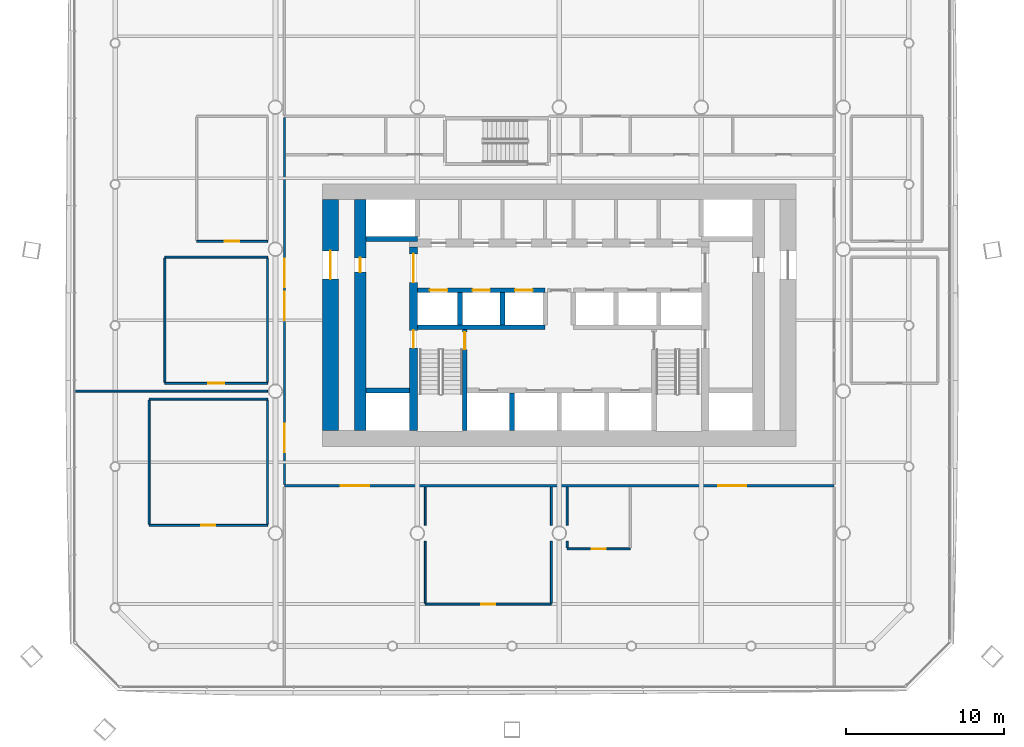
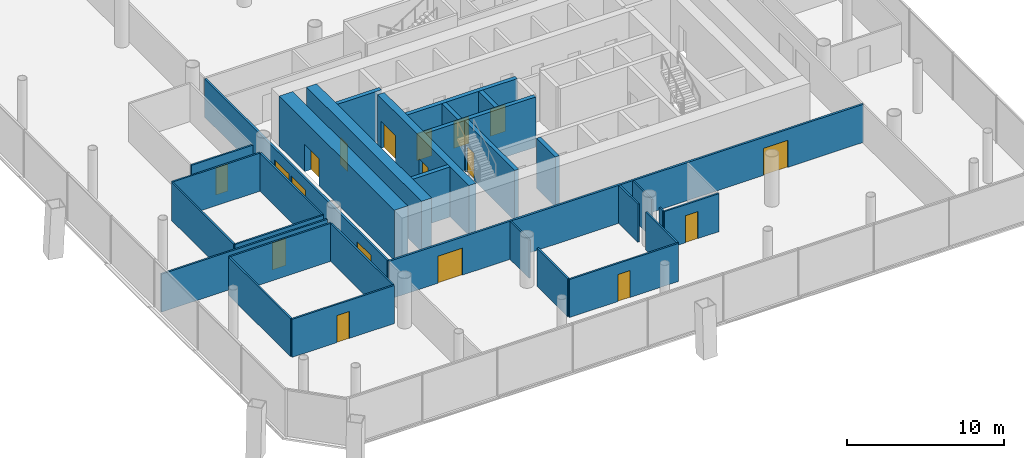
# One storey, part 14 of 22: 31 walls, 18 doors, 18 openings.
"""IFC4 building model written with IfcOpenShell, lengths in metres."""

from ifc_helpers import new_model, si_unit, direction, frame, frame_2d, origin, place, context, subcontext, project, spatial, rectangle, extrude, material, layer, layer_set, type_object, element, fill, save


model = new_model("IFC4")

# Units and contexts
model_context = context("Model", 3, precision=1e-05, world=origin(), true_north=direction((0.0, 1.0)))
body_context = subcontext(model_context, "Body", "Model", "MODEL_VIEW")
ifc_project = project(units=[si_unit("LENGTHUNIT", "METRE"), si_unit("AREAUNIT", "SQUARE_METRE"), si_unit("VOLUMEUNIT", "CUBIC_METRE"), si_unit("PLANEANGLEUNIT", "RADIAN"), si_unit("MASSUNIT", "GRAM", prefix="KILO")], contexts=[model_context])

# Site, building, storey
site_placement = place(None, origin())
site = spatial("IfcSite", under=ifc_project, at=site_placement, CompositionType="ELEMENT")
building_placement = place(site_placement, origin())
building = spatial("IfcBuilding", under=site, at=building_placement, Name="Tskaro Facet Tower", CompositionType="ELEMENT")
storey_placement = place(building_placement, frame((0.0, 0.0, 18.60009765625)))
storey = spatial("IfcBuildingStorey", under=building, at=storey_placement, Name="L03", CompositionType="ELEMENT", Elevation=18.60009765625)

# Walls
ifc_material_1 = material(Name="Concrete C60/75", Category="concrete")
ifc_layer_1 = layer(ifc_material_1, 0.300048828125, Name="Concrete C60/75")
ifc_layer_set_1 = layer_set([ifc_layer_1], Name="Concrete C60/75")
wall_type_1 = type_object("IfcWallType", Name="CORE-SHAFT", PredefinedType="SHEAR", material=ifc_layer_set_1)
wall_1_placement = place(storey_placement, frame((-12.25, -8.949951171875, 0.0), z_axis=(0.0, 0.0, 1.0), x_axis=(1.0, 0.0, 0.0)))
element("IfcWall", 1, at=wall_1_placement, inside=storey, type_object=wall_type_1, Name="Shaft wall W007", PredefinedType="SHEAR", context=body_context, shape_type="SweptSolid", body=[
    extrude(rectangle(XDim=2.75, YDim=0.300048828125, at=frame_2d((1.375, 0.0))), origin(), (0.0, 0.0, 1.0), 3.89990234375),
])
wall_2_placement = place(storey_placement, frame((-9.0, -4.949951171875, 0.0), z_axis=(0.0, 0.0, 1.0), x_axis=(1.0, 0.0, 0.0)))
element("IfcWall", 2, at=wall_2_placement, inside=storey, type_object=wall_type_1, Name="Shaft wall W012", PredefinedType="SHEAR", context=body_context, shape_type="SweptSolid", body=[
    extrude(rectangle(XDim=8.10009765625, YDim=0.300048828125, at=frame_2d((4.050048828125, 0.0))), origin(), (0.0, 0.0, 1.0), 3.89990234375),
])

# Wall, openings, doors
wall_3_placement = place(storey_placement, frame((-9.0, -2.60009765625, 0.0), z_axis=(0.0, 0.0, 1.0), x_axis=(1.0, 0.0, 0.0)))
wall_3 = element("IfcWall", 3, at=wall_3_placement, inside=storey, type_object=wall_type_1, Name="Shaft wall W014", PredefinedType="SHEAR", context=body_context, shape_type="SweptSolid", body=[
    extrude(rectangle(XDim=8.10009765625, YDim=0.300048828125, at=frame_2d((4.050048828125, 0.0))), origin(), (0.0, 0.0, 1.0), 3.89990234375),
])
opening_1_placement = place(wall_3_placement, frame((0.800048828125, 0.0, 0.0)))
opening_1 = element("IfcOpeningElement", 4, at=opening_1_placement, cuts=wall_3, Name="Opening LD-LR1", PredefinedType="OPENING", context=body_context, shape_type="SweptSolid", body=[
    extrude(rectangle(XDim=1.10009765625, YDim=2.10009765625, at=frame_2d((0.550048828125, 1.050048828125))), frame((0.0, 0.159912109375, 0.0), z_axis=(0.0, -1.0, 0.0), x_axis=(1.0, 0.0, 0.0)), (0.0, 0.0, 1.0), 0.320068359375),
])
opening_2_placement = place(wall_3_placement, frame((3.5, 0.0, 0.0)))
opening_2 = element("IfcOpeningElement", 5, at=opening_2_placement, cuts=wall_3, Name="Opening LD-LR2", PredefinedType="OPENING", context=body_context, shape_type="SweptSolid", body=[
    extrude(rectangle(XDim=1.10009765625, YDim=2.10009765625, at=frame_2d((0.550048828125, 1.050048828125))), frame((0.0, 0.159912109375, 0.0), z_axis=(0.0, -1.0, 0.0), x_axis=(1.0, 0.0, 0.0)), (0.0, 0.0, 1.0), 0.320068359375),
])
opening_3_placement = place(wall_3_placement, frame((6.199951171875, 0.0, 0.0)))
opening_3 = element("IfcOpeningElement", 6, at=opening_3_placement, cuts=wall_3, Name="Opening LD-LR3", PredefinedType="OPENING", context=body_context, shape_type="SweptSolid", body=[
    extrude(rectangle(XDim=1.10009765625, YDim=2.10009765625, at=frame_2d((0.550048828125, 1.050048828125))), frame((0.0, 0.159912109375, 0.0), z_axis=(0.0, -1.0, 0.0), x_axis=(1.0, 0.0, 0.0)), (0.0, 0.0, 1.0), 0.320068359375),
])
ifc_material_2 = material(Name="Stainless steel", Category="steel")
door_type_1 = type_object("IfcDoorType", Name="D-LANDING", OperationType="NOTDEFINED", PredefinedType="DOOR", material=ifc_material_2)
door_1_placement = place(opening_1_placement, origin())
door_1 = element("IfcDoor", 7, at=door_1_placement, inside=storey, type_object=door_type_1, Name="Landing door LR1", OperationType="DOUBLE_DOOR_SLIDING", OverallHeight=2.10009765625, OverallWidth=1.10009765625, PredefinedType="DOOR", context=body_context, shape_type="SweptSolid", body=[
    extrude(rectangle(XDim=1.10009765625, YDim=2.10009765625, at=frame_2d((0.550048828125, 1.050048828125))), frame((0.0, 0.02490234375, 0.0), z_axis=(0.0, -1.0, 0.0), x_axis=(1.0, 0.0, 0.0)), (0.0, 0.0, 1.0), 0.050048828125),
])
fill(opening_1, door_1)
door_2_placement = place(opening_2_placement, origin())
door_2 = element("IfcDoor", 8, at=door_2_placement, inside=storey, type_object=door_type_1, Name="Landing door LR2", OperationType="DOUBLE_DOOR_SLIDING", OverallHeight=2.10009765625, OverallWidth=1.10009765625, PredefinedType="DOOR", context=body_context, shape_type="SweptSolid", body=[
    extrude(rectangle(XDim=1.10009765625, YDim=2.10009765625, at=frame_2d((0.550048828125, 1.050048828125))), frame((0.0, 0.02490234375, 0.0), z_axis=(0.0, -1.0, 0.0), x_axis=(1.0, 0.0, 0.0)), (0.0, 0.0, 1.0), 0.050048828125),
])
fill(opening_2, door_2)
door_3_placement = place(opening_3_placement, origin())
door_3 = element("IfcDoor", 9, at=door_3_placement, inside=storey, type_object=door_type_1, Name="Landing door LR3", OperationType="DOUBLE_DOOR_SLIDING", OverallHeight=2.10009765625, OverallWidth=1.10009765625, PredefinedType="DOOR", context=body_context, shape_type="SweptSolid", body=[
    extrude(rectangle(XDim=1.10009765625, YDim=2.10009765625, at=frame_2d((0.550048828125, 1.050048828125))), frame((0.0, 0.02490234375, 0.0), z_axis=(0.0, -1.0, 0.0), x_axis=(1.0, 0.0, 0.0)), (0.0, 0.0, 1.0), 0.050048828125),
])
fill(opening_3, door_3)

# Walls
wall_4_placement = place(storey_placement, frame((-9.0, 0.64990234375, 0.0), z_axis=(0.0, 0.0, 1.0), x_axis=(-1.0, 0.0, 0.0)))
element("IfcWall", 10, at=wall_4_placement, inside=storey, type_object=wall_type_1, Name="Shaft wall W022", PredefinedType="SHEAR", context=body_context, shape_type="SweptSolid", body=[
    extrude(rectangle(XDim=3.25, YDim=0.300048828125, at=frame_2d((1.625, 0.0))), origin(), (0.0, 0.0, 1.0), 3.89990234375),
])
wall_5_placement = place(storey_placement, frame((-6.300048828125, -4.800048828125, 0.0), z_axis=(0.0, 0.0, 1.0), x_axis=(0.0, 1.0, 0.0)))
element("IfcWall", 11, at=wall_5_placement, inside=storey, type_object=wall_type_1, Name="Shaft wall W051", PredefinedType="SHEAR", context=body_context, shape_type="SweptSolid", body=[
    extrude(rectangle(XDim=2.050048828125, YDim=0.300048828125, at=frame_2d((1.02490234375, 0.0))), origin(), (0.0, 0.0, 1.0), 3.89990234375),
])

# Wall, opening, door
wall_6_placement = place(storey_placement, frame((-6.0, -11.5, 0.0), z_axis=(0.0, 0.0, 1.0), x_axis=(0.0, 1.0, 0.0)))
wall_6 = element("IfcWall", 12, at=wall_6_placement, inside=storey, type_object=wall_type_1, Name="Shaft wall W053", PredefinedType="SHEAR", context=body_context, shape_type="SweptSolid", body=[
    extrude(rectangle(XDim=6.39990234375, YDim=0.300048828125, at=frame_2d((3.199951171875, 0.0))), origin(), (0.0, 0.0, 1.0), 3.89990234375),
])
opening_4_placement = place(wall_6_placement, frame((5.14990234375, 0.0, 0.0)))
opening_4 = element("IfcOpeningElement", 13, at=opening_4_placement, cuts=wall_6, Name="Opening ST-1-D1", PredefinedType="OPENING", context=body_context, shape_type="SweptSolid", body=[
    extrude(rectangle(XDim=1.10009765625, YDim=2.10009765625, at=frame_2d((0.550048828125, 1.050048828125))), frame((0.0, 0.159912109375, 0.0), z_axis=(0.0, -1.0, 0.0), x_axis=(1.0, 0.0, 0.0)), (0.0, 0.0, 1.0), 0.320068359375),
])
ifc_material_3 = material(Name="Steel", Category="steel")
door_type_2 = type_object("IfcDoorType", Name="D-STAIR", OperationType="NOTDEFINED", PredefinedType="DOOR", material=ifc_material_3)
door_4_placement = place(opening_4_placement, origin())
door_4 = element("IfcDoor", 14, at=door_4_placement, inside=storey, type_object=door_type_2, Name="Stair door 1", OperationType="SINGLE_SWING_LEFT", OverallHeight=2.10009765625, OverallWidth=1.10009765625, PredefinedType="DOOR", context=body_context, shape_type="SweptSolid", body=[
    extrude(rectangle(XDim=1.10009765625, YDim=2.10009765625, at=frame_2d((0.550048828125, 1.050048828125))), frame((0.0, 0.02490234375, 0.0), z_axis=(0.0, -1.0, 0.0), x_axis=(1.0, 0.0, 0.0)), (0.0, 0.0, 1.0), 0.050048828125),
])
fill(opening_4, door_4)

# Walls
wall_7_placement = place(storey_placement, frame((-3.60009765625, -4.800048828125, 0.0), z_axis=(0.0, 0.0, 1.0), x_axis=(0.0, 1.0, 0.0)))
element("IfcWall", 15, at=wall_7_placement, inside=storey, type_object=wall_type_1, Name="Shaft wall W054", PredefinedType="SHEAR", context=body_context, shape_type="SweptSolid", body=[
    extrude(rectangle(XDim=2.050048828125, YDim=0.300048828125, at=frame_2d((1.02490234375, 0.0))), origin(), (0.0, 0.0, 1.0), 3.89990234375),
])
wall_8_placement = place(storey_placement, frame((-3.0, -11.5, 0.0), z_axis=(0.0, 0.0, 1.0), x_axis=(0.0, 1.0, 0.0)))
element("IfcWall", 16, at=wall_8_placement, inside=storey, type_object=wall_type_1, Name="Shaft wall W056", PredefinedType="SHEAR", context=body_context, shape_type="SweptSolid", body=[
    extrude(rectangle(XDim=2.39990234375, YDim=0.300048828125, at=frame_2d((1.199951171875, 0.0))), origin(), (0.0, 0.0, 1.0), 3.89990234375),
])

# Wall, opening, door
ifc_layer_2 = layer(ifc_material_1, 1.0, Name="Concrete C60/75")
ifc_layer_set_2 = layer_set([ifc_layer_2], Name="Concrete C60/75")
wall_type_2 = type_object("IfcWallType", Name="Core wall 1000", PredefinedType="SHEAR", material=ifc_layer_set_2)
wall_9_placement = place(storey_placement, frame((-14.5, -11.5, 0.0), z_axis=(0.0, 0.0, 1.0), x_axis=(0.0, 1.0, 0.0)))
wall_9 = element("IfcWall", 17, at=wall_9_placement, inside=storey, type_object=wall_type_2, Name="Core wall CW-Z1W", PredefinedType="SHEAR", context=body_context, shape_type="SweptSolid", body=[
    extrude(rectangle(XDim=14.64990234375, YDim=1.0, at=frame_2d((7.324951171875, 0.0))), origin(), (0.0, 0.0, 1.0), 3.89990234375),
])
opening_5_placement = place(wall_9_placement, frame((9.60009765625, 0.0, 0.0)))
opening_5 = element("IfcOpeningElement", 18, at=opening_5_placement, cuts=wall_9, Name="Opening T0-D17", PredefinedType="OPENING", context=body_context, shape_type="SweptSolid", body=[
    extrude(rectangle(XDim=1.800048828125, YDim=2.10009765625, at=frame_2d((0.89990234375, 1.050048828125))), frame((0.0, 0.510009765625, 0.0), z_axis=(0.0, -1.0, 0.0), x_axis=(1.0, 0.0, 0.0)), (0.0, 0.0, 1.0), 1.02001953125),
])
door_type_3 = type_object("IfcDoorType", Name="D-CORE-PAIR", OperationType="NOTDEFINED", PredefinedType="DOOR", material=ifc_material_3)
door_5_placement = place(opening_5_placement, origin())
door_5 = element("IfcDoor", 19, at=door_5_placement, inside=storey, type_object=door_type_3, Name="Door T0-D17", OperationType="DOUBLE_DOOR_SINGLE_SWING", OverallHeight=2.10009765625, OverallWidth=1.800048828125, PredefinedType="DOOR", context=body_context, shape_type="SweptSolid", body=[
    extrude(rectangle(XDim=1.800048828125, YDim=2.10009765625, at=frame_2d((0.89990234375, 1.050048828125))), frame((0.0, 0.02490234375, 0.0), z_axis=(0.0, -1.0, 0.0), x_axis=(1.0, 0.0, 0.0)), (0.0, 0.0, 1.0), 0.050048828125),
])
fill(opening_5, door_5)

# Wall, openings, doors
ifc_material_4 = material(Name="Concrete C40/50", Category="concrete")
ifc_layer_3 = layer(ifc_material_4, 0.5, Name="Concrete C40/50")
ifc_layer_set_3 = layer_set([ifc_layer_3], Name="Concrete C40/50")
wall_type_3 = type_object("IfcWallType", Name="Core wall 500", PredefinedType="SHEAR", material=ifc_layer_set_3)
wall_10_placement = place(storey_placement, frame((-9.25, -11.5, 0.0), z_axis=(0.0, 0.0, 1.0), x_axis=(0.0, 1.0, 0.0)))
wall_10 = element("IfcWall", 20, at=wall_10_placement, inside=storey, type_object=wall_type_3, Name="Core wall CW-Z3W", PredefinedType="SHEAR", context=body_context, shape_type="SweptSolid", body=[
    extrude(rectangle(XDim=11.64990234375, YDim=0.5, at=frame_2d((5.824951171875, 0.0))), origin(), (0.0, 0.0, 1.0), 3.89990234375),
])
opening_6_placement = place(wall_10_placement, frame((9.39990234375, 0.0, 0.0)))
opening_6 = element("IfcOpeningElement", 21, at=opening_6_placement, cuts=wall_10, Name="Opening T0-D15", PredefinedType="OPENING", context=body_context, shape_type="SweptSolid", body=[
    extrude(rectangle(XDim=1.800048828125, YDim=2.10009765625, at=frame_2d((0.89990234375, 1.050048828125))), frame((0.0, 0.260009765625, 0.0), z_axis=(0.0, -1.0, 0.0), x_axis=(1.0, 0.0, 0.0)), (0.0, 0.0, 1.0), 0.52001953125),
])
opening_7_placement = place(wall_10_placement, frame((5.25, 0.0, 0.0)))
opening_7 = element("IfcOpeningElement", 22, at=opening_7_placement, cuts=wall_10, Name="Opening ST-1-D2", PredefinedType="OPENING", context=body_context, shape_type="SweptSolid", body=[
    extrude(rectangle(XDim=1.10009765625, YDim=2.10009765625, at=frame_2d((0.550048828125, 1.050048828125))), frame((0.0, 0.260009765625, 0.0), z_axis=(0.0, -1.0, 0.0), x_axis=(1.0, 0.0, 0.0)), (0.0, 0.0, 1.0), 0.52001953125),
])
door_6_placement = place(opening_6_placement, origin())
door_6 = element("IfcDoor", 23, at=door_6_placement, inside=storey, type_object=door_type_3, Name="Door T0-D15", OperationType="DOUBLE_DOOR_SINGLE_SWING", OverallHeight=2.10009765625, OverallWidth=1.800048828125, PredefinedType="DOOR", context=body_context, shape_type="SweptSolid", body=[
    extrude(rectangle(XDim=1.800048828125, YDim=2.10009765625, at=frame_2d((0.89990234375, 1.050048828125))), frame((0.0, 0.02490234375, 0.0), z_axis=(0.0, -1.0, 0.0), x_axis=(1.0, 0.0, 0.0)), (0.0, 0.0, 1.0), 0.050048828125),
])
fill(opening_6, door_6)
door_7_placement = place(opening_7_placement, origin())
door_7 = element("IfcDoor", 24, at=door_7_placement, inside=storey, type_object=door_type_2, Name="Stair door 1 west", OperationType="SINGLE_SWING_LEFT", OverallHeight=2.10009765625, OverallWidth=1.10009765625, PredefinedType="DOOR", context=body_context, shape_type="SweptSolid", body=[
    extrude(rectangle(XDim=1.10009765625, YDim=2.10009765625, at=frame_2d((0.550048828125, 1.050048828125))), frame((0.0, 0.02490234375, 0.0), z_axis=(0.0, -1.0, 0.0), x_axis=(1.0, 0.0, 0.0)), (0.0, 0.0, 1.0), 0.050048828125),
])
fill(opening_7, door_7)

# Wall, opening, door
ifc_material_5 = material(Name="Concrete C50/60", Category="concrete")
ifc_layer_4 = layer(ifc_material_5, 0.75, Name="Concrete C50/60")
ifc_layer_set_4 = layer_set([ifc_layer_4], Name="Concrete C50/60")
wall_type_4 = type_object("IfcWallType", Name="Core wall 750", PredefinedType="SHEAR", material=ifc_layer_set_4)
wall_11_placement = place(storey_placement, frame((-12.625, -11.5, 0.0), z_axis=(0.0, 0.0, 1.0), x_axis=(0.0, 1.0, 0.0)))
wall_11 = element("IfcWall", 25, at=wall_11_placement, inside=storey, type_object=wall_type_4, Name="Core wall CW-Z2W", PredefinedType="SHEAR", context=body_context, shape_type="SweptSolid", body=[
    extrude(rectangle(XDim=14.64990234375, YDim=0.75, at=frame_2d((7.324951171875, 0.0))), origin(), (0.0, 0.0, 1.0), 3.89990234375),
])
opening_8_placement = place(wall_11_placement, frame((10.050048828125, 0.0, 0.0)))
opening_8 = element("IfcOpeningElement", 26, at=opening_8_placement, cuts=wall_11, Name="Opening T0-D18", PredefinedType="OPENING", context=body_context, shape_type="SweptSolid", body=[
    extrude(rectangle(XDim=0.89990234375, YDim=2.10009765625, at=frame_2d((0.449951171875, 1.050048828125))), frame((0.0, 0.385009765625, 0.0), z_axis=(0.0, -1.0, 0.0), x_axis=(1.0, 0.0, 0.0)), (0.0, 0.0, 1.0), 0.77001953125),
])
ifc_material_6 = material(Name="Timber", Category="wood")
door_type_4 = type_object("IfcDoorType", Name="D-ROOM", OperationType="NOTDEFINED", PredefinedType="DOOR", material=ifc_material_6)
door_8_placement = place(opening_8_placement, origin())
door_8 = element("IfcDoor", 27, at=door_8_placement, inside=storey, type_object=door_type_4, Name="Door T0-D18", OperationType="SINGLE_SWING_LEFT", OverallHeight=2.10009765625, OverallWidth=0.89990234375, PredefinedType="DOOR", context=body_context, shape_type="SweptSolid", body=[
    extrude(rectangle(XDim=0.89990234375, YDim=2.10009765625, at=frame_2d((0.449951171875, 1.050048828125))), frame((0.0, 0.02490234375, 0.0), z_axis=(0.0, -1.0, 0.0), x_axis=(1.0, 0.0, 0.0)), (0.0, 0.0, 1.0), 0.050048828125),
])
fill(opening_8, door_8)

ifc_material_7 = material(Name="Gypsum board on steel studs", Category="steel")
ifc_layer_5 = layer(ifc_material_7, 0.125, Name="Gypsum board on steel studs")
ifc_layer_set_5 = layer_set([ifc_layer_5], Name="Gypsum board on steel studs")
wall_type_5 = type_object("IfcWallType", Name="PART", PredefinedType="PARTITIONING", material=ifc_layer_set_5)
wall_12_placement = place(storey_placement, frame((-8.5, -22.5, 0.0), z_axis=(0.0, 0.0, 1.0), x_axis=(1.0, 0.0, 0.0)))
wall_12 = element("IfcWall", 28, at=wall_12_placement, inside=storey, type_object=wall_type_5, Name="Partition W001", PredefinedType="PARTITIONING", context=body_context, shape_type="SweptSolid", body=[
    extrude(rectangle(XDim=8.0, YDim=0.125, at=frame_2d((4.0, 0.0))), origin(), (0.0, 0.0, 1.0), 2.9599609375),
])
opening_9_placement = place(wall_12_placement, frame((3.550048828125, 0.0, 0.0)))
opening_9 = element("IfcOpeningElement", 29, at=opening_9_placement, cuts=wall_12, Name="Opening T0-D01", PredefinedType="OPENING", context=body_context, shape_type="SweptSolid", body=[
    extrude(rectangle(XDim=0.89990234375, YDim=2.10009765625, at=frame_2d((0.449951171875, 1.050048828125))), frame((0.0, 0.072509765625, 0.0), z_axis=(0.0, -1.0, 0.0), x_axis=(1.0, 0.0, 0.0)), (0.0, 0.0, 1.0), 0.14501953125),
])
door_9_placement = place(opening_9_placement, origin())
door_9 = element("IfcDoor", 30, at=door_9_placement, inside=storey, type_object=door_type_4, Name="Door T0-D01", OperationType="SINGLE_SWING_LEFT", OverallHeight=2.10009765625, OverallWidth=0.89990234375, PredefinedType="DOOR", context=body_context, shape_type="SweptSolid", body=[
    extrude(rectangle(XDim=0.89990234375, YDim=2.10009765625, at=frame_2d((0.449951171875, 1.050048828125))), frame((0.0, 0.02490234375, 0.0), z_axis=(0.0, -1.0, 0.0), x_axis=(1.0, 0.0, 0.0)), (0.0, 0.0, 1.0), 0.050048828125),
])
fill(opening_9, door_9)

wall_13_placement = place(storey_placement, frame((0.5, -19.0, 0.0), z_axis=(0.0, 0.0, 1.0), x_axis=(1.0, 0.0, 0.0)))
wall_13 = element("IfcWall", 31, at=wall_13_placement, inside=storey, type_object=wall_type_5, Name="Partition W002", PredefinedType="PARTITIONING", context=body_context, shape_type="SweptSolid", body=[
    extrude(rectangle(XDim=4.0, YDim=0.125, at=frame_2d((2.0, 0.0))), origin(), (0.0, 0.0, 1.0), 2.9599609375),
])
opening_10_placement = place(wall_13_placement, frame((1.550048828125, 0.0, 0.0)))
opening_10 = element("IfcOpeningElement", 32, at=opening_10_placement, cuts=wall_13, Name="Opening T0-D02", PredefinedType="OPENING", context=body_context, shape_type="SweptSolid", body=[
    extrude(rectangle(XDim=0.89990234375, YDim=2.10009765625, at=frame_2d((0.449951171875, 1.050048828125))), frame((0.0, 0.072509765625, 0.0), z_axis=(0.0, -1.0, 0.0), x_axis=(1.0, 0.0, 0.0)), (0.0, 0.0, 1.0), 0.14501953125),
])
door_10_placement = place(opening_10_placement, origin())
door_10 = element("IfcDoor", 33, at=door_10_placement, inside=storey, type_object=door_type_4, Name="Door T0-D02", OperationType="SINGLE_SWING_LEFT", OverallHeight=2.10009765625, OverallWidth=0.89990234375, PredefinedType="DOOR", context=body_context, shape_type="SweptSolid", body=[
    extrude(rectangle(XDim=0.89990234375, YDim=2.10009765625, at=frame_2d((0.449951171875, 1.050048828125))), frame((0.0, 0.02490234375, 0.0), z_axis=(0.0, -1.0, 0.0), x_axis=(1.0, 0.0, 0.0)), (0.0, 0.0, 1.0), 0.050048828125),
])
fill(opening_10, door_10)

wall_14_placement = place(storey_placement, frame((-26.0, -17.5, 0.0), z_axis=(0.0, 0.0, 1.0), x_axis=(1.0, 0.0, 0.0)))
wall_14 = element("IfcWall", 34, at=wall_14_placement, inside=storey, type_object=wall_type_5, Name="Partition W003", PredefinedType="PARTITIONING", context=body_context, shape_type="SweptSolid", body=[
    extrude(rectangle(XDim=7.5, YDim=0.125, at=frame_2d((3.75, 0.0))), origin(), (0.0, 0.0, 1.0), 2.9599609375),
])
opening_11_placement = place(wall_14_placement, frame((3.300048828125, 0.0, 0.0)))
opening_11 = element("IfcOpeningElement", 35, at=opening_11_placement, cuts=wall_14, Name="Opening T0-D03", PredefinedType="OPENING", context=body_context, shape_type="SweptSolid", body=[
    extrude(rectangle(XDim=0.89990234375, YDim=2.10009765625, at=frame_2d((0.449951171875, 1.050048828125))), frame((0.0, 0.072509765625, 0.0), z_axis=(0.0, -1.0, 0.0), x_axis=(1.0, 0.0, 0.0)), (0.0, 0.0, 1.0), 0.14501953125),
])
door_11_placement = place(opening_11_placement, origin())
door_11 = element("IfcDoor", 36, at=door_11_placement, inside=storey, type_object=door_type_4, Name="Door T0-D03", OperationType="SINGLE_SWING_LEFT", OverallHeight=2.10009765625, OverallWidth=0.89990234375, PredefinedType="DOOR", context=body_context, shape_type="SweptSolid", body=[
    extrude(rectangle(XDim=0.89990234375, YDim=2.10009765625, at=frame_2d((0.449951171875, 1.050048828125))), frame((0.0, 0.02490234375, 0.0), z_axis=(0.0, -1.0, 0.0), x_axis=(1.0, 0.0, 0.0)), (0.0, 0.0, 1.0), 0.050048828125),
])
fill(opening_11, door_11)

# Walls
wall_15_placement = place(storey_placement, frame((-26.0, -9.5, 0.0), z_axis=(0.0, 0.0, 1.0), x_axis=(1.0, 0.0, 0.0)))
element("IfcWall", 37, at=wall_15_placement, inside=storey, type_object=wall_type_5, Name="Partition W005", PredefinedType="PARTITIONING", context=body_context, shape_type="SweptSolid", body=[
    extrude(rectangle(XDim=7.5, YDim=0.125, at=frame_2d((3.75, 0.0))), origin(), (0.0, 0.0, 1.0), 2.9599609375),
])
wall_16_placement = place(storey_placement, frame((-30.699951171875, -9.0, 0.0), z_axis=(0.0, 0.0, 1.0), x_axis=(1.0, 0.0, 0.0)))
element("IfcWall", 38, at=wall_16_placement, inside=storey, type_object=wall_type_5, Name="Partition W006", PredefinedType="PARTITIONING", context=body_context, shape_type="SweptSolid", body=[
    extrude(rectangle(XDim=12.199951171875, YDim=0.125, at=frame_2d((6.10009765625, 0.0))), origin(), (0.0, 0.0, 1.0), 2.9599609375),
])

# Wall, opening, door
wall_17_placement = place(storey_placement, frame((-25.0, -8.5, 0.0), z_axis=(0.0, 0.0, 1.0), x_axis=(1.0, 0.0, 0.0)))
wall_17 = element("IfcWall", 39, at=wall_17_placement, inside=storey, type_object=wall_type_5, Name="Partition W010", PredefinedType="PARTITIONING", context=body_context, shape_type="SweptSolid", body=[
    extrude(rectangle(XDim=6.5, YDim=0.125, at=frame_2d((3.25, 0.0))), origin(), (0.0, 0.0, 1.0), 2.9599609375),
])
opening_12_placement = place(wall_17_placement, frame((2.75, 0.0, 0.0)))
opening_12 = element("IfcOpeningElement", 40, at=opening_12_placement, cuts=wall_17, Name="Opening T0-D09", PredefinedType="OPENING", context=body_context, shape_type="SweptSolid", body=[
    extrude(rectangle(XDim=1.0, YDim=2.10009765625, at=frame_2d((0.5, 1.050048828125))), frame((0.0, 0.072509765625, 0.0), z_axis=(0.0, -1.0, 0.0), x_axis=(1.0, 0.0, 0.0)), (0.0, 0.0, 1.0), 0.14501953125),
])
door_type_5 = type_object("IfcDoorType", Name="D-ROOM-WIDE", OperationType="NOTDEFINED", PredefinedType="DOOR", material=ifc_material_6)
door_12_placement = place(opening_12_placement, origin())
door_12 = element("IfcDoor", 41, at=door_12_placement, inside=storey, type_object=door_type_5, Name="Door T0-D09", OperationType="SINGLE_SWING_LEFT", OverallHeight=2.10009765625, OverallWidth=1.0, PredefinedType="DOOR", context=body_context, shape_type="SweptSolid", body=[
    extrude(rectangle(XDim=1.0, YDim=2.10009765625, at=frame_2d((0.5, 1.050048828125))), frame((0.0, 0.02490234375, 0.0), z_axis=(0.0, -1.0, 0.0), x_axis=(1.0, 0.0, 0.0)), (0.0, 0.0, 1.0), 0.050048828125),
])
fill(opening_12, door_12)

# Wall
wall_18_placement = place(storey_placement, frame((-25.0, -0.5, 0.0), z_axis=(0.0, 0.0, 1.0), x_axis=(1.0, 0.0, 0.0)))
element("IfcWall", 42, at=wall_18_placement, inside=storey, type_object=wall_type_5, Name="Partition W017", PredefinedType="PARTITIONING", context=body_context, shape_type="SweptSolid", body=[
    extrude(rectangle(XDim=6.5, YDim=0.125, at=frame_2d((3.25, 0.0))), origin(), (0.0, 0.0, 1.0), 2.9599609375),
])

# Wall, opening, door
wall_19_placement = place(storey_placement, frame((-23.0, 0.5, 0.0), z_axis=(0.0, 0.0, 1.0), x_axis=(1.0, 0.0, 0.0)))
wall_19 = element("IfcWall", 43, at=wall_19_placement, inside=storey, type_object=wall_type_5, Name="Partition W020", PredefinedType="PARTITIONING", context=body_context, shape_type="SweptSolid", body=[
    extrude(rectangle(XDim=4.5, YDim=0.125, at=frame_2d((2.25, 0.0))), origin(), (0.0, 0.0, 1.0), 2.9599609375),
])
opening_13_placement = place(wall_19_placement, frame((1.800048828125, 0.0, 0.0)))
opening_13 = element("IfcOpeningElement", 44, at=opening_13_placement, cuts=wall_19, Name="Opening T0-D28", PredefinedType="OPENING", context=body_context, shape_type="SweptSolid", body=[
    extrude(rectangle(XDim=0.89990234375, YDim=2.10009765625, at=frame_2d((0.449951171875, 1.050048828125))), frame((0.0, 0.072509765625, 0.0), z_axis=(0.0, -1.0, 0.0), x_axis=(1.0, 0.0, 0.0)), (0.0, 0.0, 1.0), 0.14501953125),
])
door_13_placement = place(opening_13_placement, origin())
door_13 = element("IfcDoor", 45, at=door_13_placement, inside=storey, type_object=door_type_4, Name="Door T0-D28", OperationType="SINGLE_SWING_LEFT", OverallHeight=2.10009765625, OverallWidth=0.89990234375, PredefinedType="DOOR", context=body_context, shape_type="SweptSolid", body=[
    extrude(rectangle(XDim=0.89990234375, YDim=2.10009765625, at=frame_2d((0.449951171875, 1.050048828125))), frame((0.0, 0.02490234375, 0.0), z_axis=(0.0, -1.0, 0.0), x_axis=(1.0, 0.0, 0.0)), (0.0, 0.0, 1.0), 0.050048828125),
])
fill(opening_13, door_13)

# Walls
for number, where, z_axis, x_axis, name in (
    (46, (-26.0, -17.4375, 0.0), (0.0, 0.0, 1.0), (0.0, 1.0, 0.0), "Partition W036"),
    (47, (-25.0, -8.4375, 0.0), (0.0, 0.0, 1.0), (0.0, 1.0, 0.0), "Partition W037"),
    (48, (-18.5, -17.4375, 0.0), (0.0, 0.0, 1.0), (0.0, 1.0, 0.0), "Partition W039"),
    (49, (-18.5, -8.4375, 0.0), (0.0, 0.0, 1.0), (0.0, 1.0, 0.0), "Partition W040"),
):
    element("IfcWall", number, at=place(storey_placement, frame(where, z_axis=z_axis, x_axis=x_axis)), inside=storey, type_object=wall_type_5, Name=name, PredefinedType="PARTITIONING", context=body_context, shape_type="SweptSolid", body=[
        extrude(rectangle(XDim=7.875, YDim=0.125, at=frame_2d((3.9375, 0.0))), origin(), (0.0, 0.0, 1.0), 2.9599609375),
    ])
wall_20_placement = place(storey_placement, frame((-8.5, -22.4375, 0.0), z_axis=(0.0, 0.0, 1.0), x_axis=(0.0, 1.0, 0.0)))
element("IfcWall", 50, at=wall_20_placement, inside=storey, type_object=wall_type_5, Name="Partition W047", PredefinedType="PARTITIONING", context=body_context, shape_type="SweptSolid", body=[
    extrude(rectangle(XDim=3.9375, YDim=0.125, at=frame_2d((1.96875, 0.0))), origin(), (0.0, 0.0, 1.0), 2.9599609375),
])
wall_21_placement = place(storey_placement, frame((-8.5, -17.5, 0.0), z_axis=(0.0, 0.0, 1.0), x_axis=(0.0, 1.0, 0.0)))
element("IfcWall", 51, at=wall_21_placement, inside=storey, type_object=wall_type_5, Name="Partition W048", PredefinedType="PARTITIONING", context=body_context, shape_type="SweptSolid", body=[
    extrude(rectangle(XDim=2.425048828125, YDim=0.125, at=frame_2d((1.21240234375, 0.0))), origin(), (0.0, 0.0, 1.0), 2.9599609375),
])
wall_22_placement = place(storey_placement, frame((-0.5, -22.4375, 0.0), z_axis=(0.0, 0.0, 1.0), x_axis=(0.0, 1.0, 0.0)))
element("IfcWall", 52, at=wall_22_placement, inside=storey, type_object=wall_type_5, Name="Partition W060", PredefinedType="PARTITIONING", context=body_context, shape_type="SweptSolid", body=[
    extrude(rectangle(XDim=3.9375, YDim=0.125, at=frame_2d((1.96875, 0.0))), origin(), (0.0, 0.0, 1.0), 2.9599609375),
])
wall_23_placement = place(storey_placement, frame((-0.5, -17.5, 0.0), z_axis=(0.0, 0.0, 1.0), x_axis=(0.0, 1.0, 0.0)))
element("IfcWall", 53, at=wall_23_placement, inside=storey, type_object=wall_type_5, Name="Partition W061", PredefinedType="PARTITIONING", context=body_context, shape_type="SweptSolid", body=[
    extrude(rectangle(XDim=2.425048828125, YDim=0.125, at=frame_2d((1.21240234375, 0.0))), origin(), (0.0, 0.0, 1.0), 2.9599609375),
])
wall_24_placement = place(storey_placement, frame((0.5, -18.9375, 0.0), z_axis=(0.0, 0.0, 1.0), x_axis=(0.0, 1.0, 0.0)))
element("IfcWall", 54, at=wall_24_placement, inside=storey, type_object=wall_type_5, Name="Partition W064", PredefinedType="PARTITIONING", context=body_context, shape_type="SweptSolid", body=[
    extrude(rectangle(XDim=0.4375, YDim=0.125, at=frame_2d((0.21875, 0.0))), origin(), (0.0, 0.0, 1.0), 2.9599609375),
])
wall_25_placement = place(storey_placement, frame((0.5, -17.5, 0.0), z_axis=(0.0, 0.0, 1.0), x_axis=(0.0, 1.0, 0.0)))
element("IfcWall", 55, at=wall_25_placement, inside=storey, type_object=wall_type_5, Name="Partition W065", PredefinedType="PARTITIONING", context=body_context, shape_type="SweptSolid", body=[
    extrude(rectangle(XDim=2.425048828125, YDim=0.125, at=frame_2d((1.21240234375, 0.0))), origin(), (0.0, 0.0, 1.0), 2.9599609375),
])

# Wall, openings, doors
ifc_layer_6 = layer(ifc_material_7, 0.14990234375, Name="Gypsum board on steel studs")
ifc_layer_set_6 = layer_set([ifc_layer_6], Name="Gypsum board on steel studs")
wall_type_6 = type_object("IfcWallType", Name="PART-CORR", PredefinedType="PARTITIONING", material=ifc_layer_set_6)
wall_26_placement = place(storey_placement, frame((-17.425048828125, -15.0, 0.0), z_axis=(0.0, 0.0, 1.0), x_axis=(1.0, 0.0, 0.0)))
wall_26 = element("IfcWall", 56, at=wall_26_placement, inside=storey, type_object=wall_type_6, Name="Corridor wall W004", PredefinedType="PARTITIONING", context=body_context, shape_type="SweptSolid", body=[
    extrude(rectangle(XDim=34.85009765625, YDim=0.14990234375, at=frame_2d((17.425048828125, 0.0))), origin(), (0.0, 0.0, 1.0), 2.9599609375),
])
opening_14_placement = place(wall_26_placement, frame((3.5625, 0.0, 0.0)))
opening_14 = element("IfcOpeningElement", 57, at=opening_14_placement, cuts=wall_26, Name="Opening T0-D04", PredefinedType="OPENING", context=body_context, shape_type="SweptSolid", body=[
    extrude(rectangle(XDim=1.800048828125, YDim=2.10009765625, at=frame_2d((0.89990234375, 1.050048828125))), frame((0.0, 0.0849609375, 0.0), z_axis=(0.0, -1.0, 0.0), x_axis=(1.0, 0.0, 0.0)), (0.0, 0.0, 1.0), 0.169921875),
])
opening_15_placement = place(wall_26_placement, frame((27.487548828125, 0.0, 0.0)))
opening_15 = element("IfcOpeningElement", 58, at=opening_15_placement, cuts=wall_26, Name="Opening T0-D05", PredefinedType="OPENING", context=body_context, shape_type="SweptSolid", body=[
    extrude(rectangle(XDim=1.800048828125, YDim=2.10009765625, at=frame_2d((0.89990234375, 1.050048828125))), frame((0.0, 0.0849609375, 0.0), z_axis=(0.0, -1.0, 0.0), x_axis=(1.0, 0.0, 0.0)), (0.0, 0.0, 1.0), 0.169921875),
])
ifc_material_8 = material(Name="Glass", Category="glass")
door_type_6 = type_object("IfcDoorType", Name="D-ENTRY-PAIR", OperationType="NOTDEFINED", PredefinedType="DOOR", material=ifc_material_8)
door_14_placement = place(opening_14_placement, origin())
door_14 = element("IfcDoor", 59, at=door_14_placement, inside=storey, type_object=door_type_6, Name="Door T0-D04", OperationType="DOUBLE_DOOR_SINGLE_SWING", OverallHeight=2.10009765625, OverallWidth=1.800048828125, PredefinedType="DOOR", context=body_context, shape_type="SweptSolid", body=[
    extrude(rectangle(XDim=1.800048828125, YDim=2.10009765625, at=frame_2d((0.89990234375, 1.050048828125))), frame((0.0, 0.02490234375, 0.0), z_axis=(0.0, -1.0, 0.0), x_axis=(1.0, 0.0, 0.0)), (0.0, 0.0, 1.0), 0.050048828125),
])
fill(opening_14, door_14)
door_15_placement = place(opening_15_placement, origin())
door_15 = element("IfcDoor", 60, at=door_15_placement, inside=storey, type_object=door_type_6, Name="Door T0-D05", OperationType="DOUBLE_DOOR_SINGLE_SWING", OverallHeight=2.10009765625, OverallWidth=1.800048828125, PredefinedType="DOOR", context=body_context, shape_type="SweptSolid", body=[
    extrude(rectangle(XDim=1.800048828125, YDim=2.10009765625, at=frame_2d((0.89990234375, 1.050048828125))), frame((0.0, 0.02490234375, 0.0), z_axis=(0.0, -1.0, 0.0), x_axis=(1.0, 0.0, 0.0)), (0.0, 0.0, 1.0), 0.050048828125),
])
fill(opening_15, door_15)

wall_27_placement = place(storey_placement, frame((-17.425048828125, 8.35009765625, 0.0), z_axis=(0.0, 0.0, 1.0), x_axis=(0.0, -1.0, 0.0)))
wall_27 = element("IfcWall", 61, at=wall_27_placement, inside=storey, type_object=wall_type_6, Name="Corridor wall W043", PredefinedType="PARTITIONING", context=body_context, shape_type="SweptSolid", body=[
    extrude(rectangle(XDim=23.275146484375, YDim=0.14990234375, at=frame_2d((11.6376953125, 0.0))), origin(), (0.0, 0.0, 1.0), 2.9599609375),
])
opening_16_placement = place(wall_27_placement, frame((19.41259765625, 0.0, 0.0)))
opening_16 = element("IfcOpeningElement", 62, at=opening_16_placement, cuts=wall_27, Name="Opening T0-D06", PredefinedType="OPENING", context=body_context, shape_type="SweptSolid", body=[
    extrude(rectangle(XDim=1.800048828125, YDim=2.10009765625, at=frame_2d((0.89990234375, 1.050048828125))), frame((0.0, 0.0849609375, 0.0), z_axis=(0.0, -1.0, 0.0), x_axis=(1.0, 0.0, 0.0)), (0.0, 0.0, 1.0), 0.169921875),
])
opening_17_placement = place(wall_27_placement, frame((8.949951171875, 0.0, 0.0)))
opening_17 = element("IfcOpeningElement", 63, at=opening_17_placement, cuts=wall_27, Name="Opening T0-D14", PredefinedType="OPENING", context=body_context, shape_type="SweptSolid", body=[
    extrude(rectangle(XDim=1.800048828125, YDim=2.10009765625, at=frame_2d((0.89990234375, 1.050048828125))), frame((0.0, 0.0849609375, 0.0), z_axis=(0.0, -1.0, 0.0), x_axis=(1.0, 0.0, 0.0)), (0.0, 0.0, 1.0), 0.169921875),
])
opening_18_placement = place(wall_27_placement, frame((11.050048828125, 0.0, 0.0)))
opening_18 = element("IfcOpeningElement", 64, at=opening_18_placement, cuts=wall_27, Name="Opening T0-D13", PredefinedType="OPENING", context=body_context, shape_type="SweptSolid", body=[
    extrude(rectangle(XDim=1.800048828125, YDim=2.10009765625, at=frame_2d((0.89990234375, 1.050048828125))), frame((0.0, 0.0849609375, 0.0), z_axis=(0.0, -1.0, 0.0), x_axis=(1.0, 0.0, 0.0)), (0.0, 0.0, 1.0), 0.169921875),
])
door_16_placement = place(opening_16_placement, origin())
door_16 = element("IfcDoor", 65, at=door_16_placement, inside=storey, type_object=door_type_6, Name="Door T0-D06", OperationType="DOUBLE_DOOR_SINGLE_SWING", OverallHeight=2.10009765625, OverallWidth=1.800048828125, PredefinedType="DOOR", context=body_context, shape_type="SweptSolid", body=[
    extrude(rectangle(XDim=1.800048828125, YDim=2.10009765625, at=frame_2d((0.89990234375, 1.050048828125))), frame((0.0, 0.02490234375, 0.0), z_axis=(0.0, -1.0, 0.0), x_axis=(1.0, 0.0, 0.0)), (0.0, 0.0, 1.0), 0.050048828125),
])
fill(opening_16, door_16)
door_17_placement = place(opening_17_placement, origin())
door_17 = element("IfcDoor", 66, at=door_17_placement, inside=storey, type_object=door_type_6, Name="Door T0-D14", OperationType="DOUBLE_DOOR_SINGLE_SWING", OverallHeight=2.10009765625, OverallWidth=1.800048828125, PredefinedType="DOOR", context=body_context, shape_type="SweptSolid", body=[
    extrude(rectangle(XDim=1.800048828125, YDim=2.10009765625, at=frame_2d((0.89990234375, 1.050048828125))), frame((0.0, 0.02490234375, 0.0), z_axis=(0.0, -1.0, 0.0), x_axis=(1.0, 0.0, 0.0)), (0.0, 0.0, 1.0), 0.050048828125),
])
fill(opening_17, door_17)
door_18_placement = place(opening_18_placement, origin())
door_18 = element("IfcDoor", 67, at=door_18_placement, inside=storey, type_object=door_type_6, Name="Door T0-D13", OperationType="DOUBLE_DOOR_SINGLE_SWING", OverallHeight=2.10009765625, OverallWidth=1.800048828125, PredefinedType="DOOR", context=body_context, shape_type="SweptSolid", body=[
    extrude(rectangle(XDim=1.800048828125, YDim=2.10009765625, at=frame_2d((0.89990234375, 1.050048828125))), frame((0.0, 0.02490234375, 0.0), z_axis=(0.0, -1.0, 0.0), x_axis=(1.0, 0.0, 0.0)), (0.0, 0.0, 1.0), 0.050048828125),
])
fill(opening_18, door_18)

save(model, "model.ifc")
